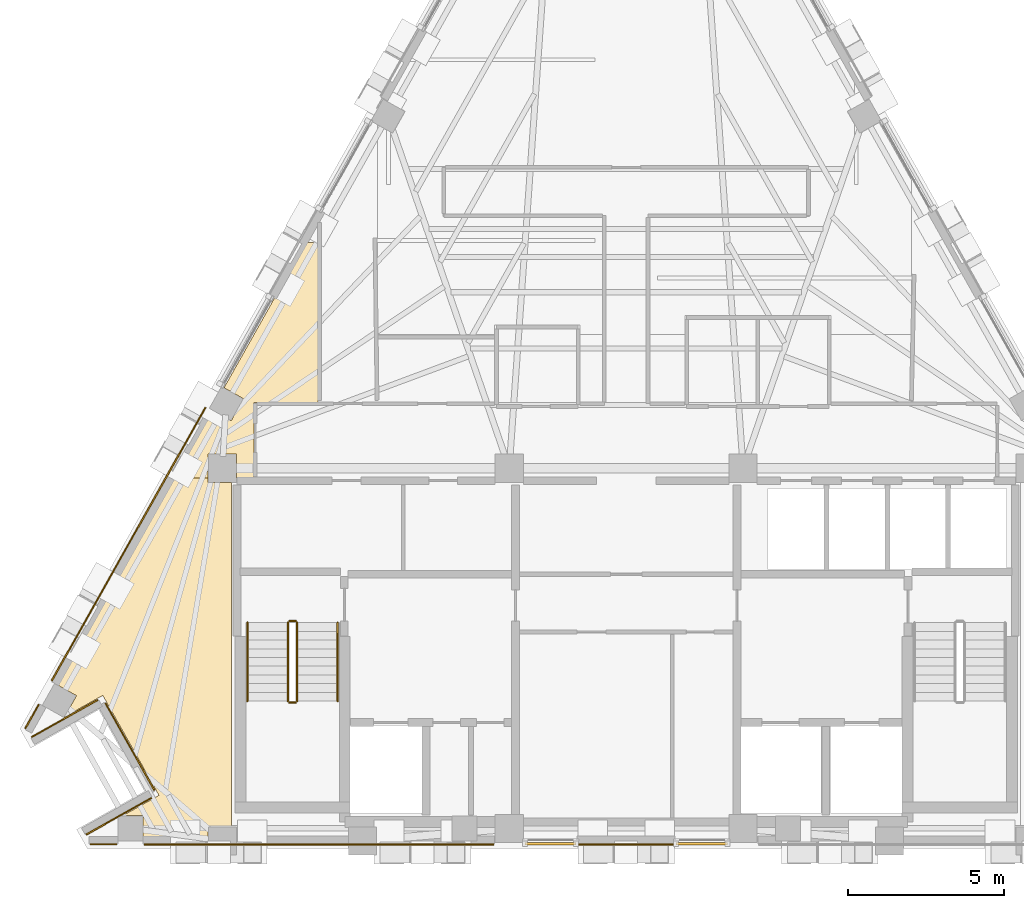
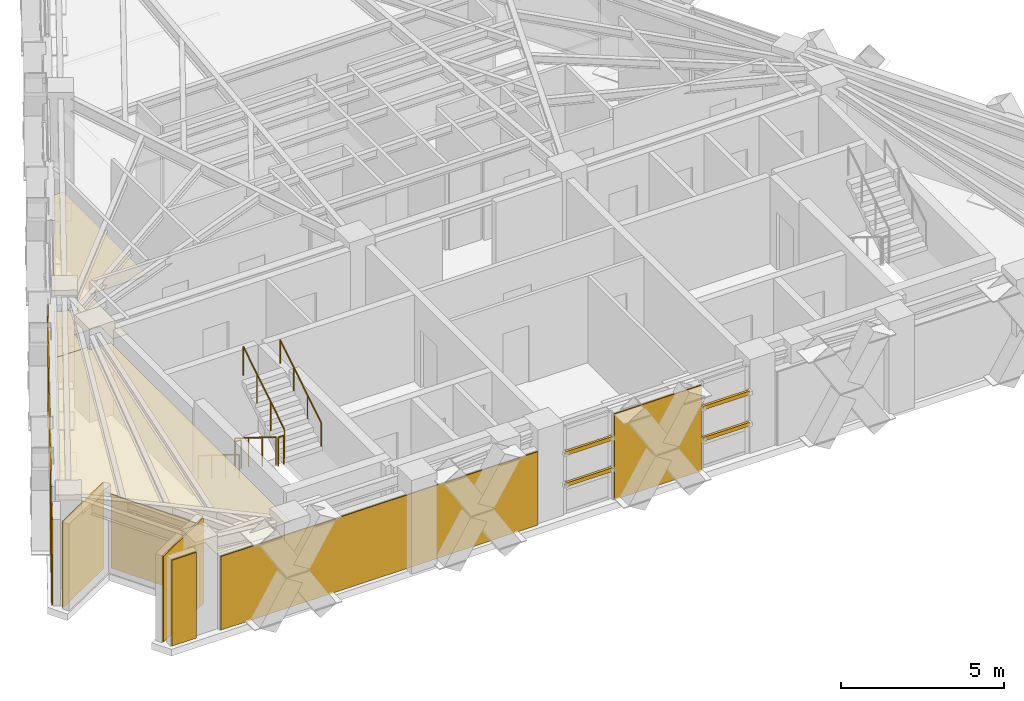
# One storey, part 9 of 11: 10 coverings, 6 railings, 4 shading devices.
"""IFC4 building model written with IfcOpenShell, lengths in metres."""

from ifc_helpers import new_model, si_unit, direction, frame, origin, origin_2d, place, context, subcontext, project, spatial, polyline, rectangle, circle, outline, extrude, material, layer, layer_set, material_profile, profile_set, type_object, element, save


model = new_model("IFC4")

# Units and contexts
model_context = context("Model", 3, precision=1e-05, world=origin(), true_north=direction((0.0, 1.0)))
body_context = subcontext(model_context, "Body", "Model", "MODEL_VIEW")
ifc_project = project(units=[si_unit("LENGTHUNIT", "METRE"), si_unit("AREAUNIT", "SQUARE_METRE"), si_unit("VOLUMEUNIT", "CUBIC_METRE"), si_unit("PLANEANGLEUNIT", "RADIAN"), si_unit("MASSUNIT", "GRAM", prefix="KILO")], contexts=[model_context])

# Site, building, storey
site_placement = place(None, origin())
site = spatial("IfcSite", under=ifc_project, at=site_placement, CompositionType="ELEMENT")
building_placement = place(site_placement, origin())
building = spatial("IfcBuilding", under=site, at=building_placement, Name="Quenlor Broadcast Tower", CompositionType="ELEMENT")
storey_placement = place(building_placement, frame((0.0, 0.0, 253.39990234375)))
storey = spatial("IfcBuildingStorey", under=building, at=storey_placement, Name="L70", CompositionType="ELEMENT", Elevation=253.39990234375)

# Coverings
ifc_material_1 = material(Name="Acoustic Mineral Fibre Board", Category="other")
ifc_layer_1 = layer(ifc_material_1, 0.02490234375)
ifc_layer_set_1 = layer_set([ifc_layer_1], Name="Acoustic Perforated Mineral Tile Ceiling 25")
covering_type_1 = type_object("IfcCoveringType", Name="Acoustic Perforated Mineral Tile Ceiling 25", PredefinedType="CEILING", material=ifc_layer_set_1)
covering_1_placement = place(storey_placement, frame((0.0, 0.0, 2.714599609375)))
element("IfcCovering", 1, at=covering_1_placement, inside=storey, type_object=covering_type_1, Name="L70 Acoustic Ceiling L70-28", PredefinedType="CEILING", context=body_context, shape_type="SweptSolid", body=[
    extrude(outline(polyline([(-13.295654296875, -2.930419921875), (-12.669921875, -3.2822265625), (-12.27001953125, -2.571044921875), (-12.895751953125, -2.218994140625), (-10.27490234375, 2.43994140625), (-9.877685546875, 2.43994140625), (-9.877685546875, -2.699951171875), (-11.929931640625, -2.699951171875), (-11.929931640625, -5.1201171875), (-12.491943359375, -5.1201171875), (-12.491943359375, -4.342041015625), (-13.407958984375, -4.342041015625), (-13.407958984375, -5.1201171875), (-14.52734375, -5.1201171875), (-13.295654296875, -2.930419921875)])), origin(), (0.0, 0.0, 1.0), 0.025146484375),
])
covering_2_placement = place(storey_placement, frame((0.0, 0.0, 2.714599609375)))
element("IfcCovering", 2, at=covering_2_placement, inside=storey, type_object=covering_type_1, Name="L70 Acoustic Ceiling L70-28-2", PredefinedType="CEILING", context=body_context, shape_type="SweptSolid", body=[
    extrude(outline(polyline([(-18.25244140625, -11.7421875), (-14.52734375, -5.1201171875), (-13.407958984375, -5.1201171875), (-13.407958984375, -5.258056640625), (-12.64990234375, -5.258056640625), (-12.64990234375, -16.2919921875), (-13.407958984375, -16.2919921875), (-13.407958984375, -16.659912109375), (-15.489501953125, -16.659912109375), (-15.489501953125, -15.94189453125), (-16.1435546875, -15.94189453125), (-14.983642578125, -15.28955078125), (-16.785888671875, -12.085693359375), (-18.0087890625, -12.773681640625), (-17.626708984375, -12.09423828125), (-18.25244140625, -11.7421875)])), origin(), (0.0, 0.0, 1.0), 0.025146484375),
])

# Shading devices
ifc_material_2 = material(Name="Architectural Terracotta Ceramic", Category="masonry")
ifc_material_profile = material_profile(ifc_material_2, rectangle(XDim=0.090087890625, YDim=0.139892578125, at=origin_2d()))
ifc_profile_set = profile_set([ifc_material_profile], Name="Architectural Terracotta Ceramic BAG90x140")
shading_device_type = type_object("IfcShadingDeviceType", Name="Copper Terracotta Baguette Solar Screen 140", PredefinedType="USERDEFINED", material=ifc_profile_set)
for number, where, z_axis, x_axis, name in (
    (3, (3.24755859375, -16.843017578125, 1.170166015625), (-1.0, 0.0, 0.0), (0.0, -1.0, 0.0), "L70 Terracotta Baguette Screen 1"),
    (4, (3.24755859375, -16.843017578125, 2.340087890625), (-1.0, 0.0, 0.0), (0.0, -1.0, 0.0), "L70 Terracotta Baguette Screen 2"),
    (5, (-1.60400390625, -16.843017578125, 1.170166015625), (-1.0, 0.0, 0.0), (0.0, -1.0, 0.0), "L70 Terracotta Baguette Screen 1"),
    (6, (-1.60400390625, -16.843017578125, 2.340087890625), (-1.0, 0.0, 0.0), (0.0, -1.0, 0.0), "L70 Terracotta Baguette Screen 2"),
):
    element("IfcShadingDevice", number, at=place(storey_placement, frame(where, z_axis=z_axis, x_axis=x_axis)), inside=storey, type_object=shading_device_type, Name=name, ObjectType="BAGUETTE", PredefinedType="USERDEFINED", context=body_context, shape_type="SweptSolid", body=[
        extrude(rectangle(XDim=0.090087890625, YDim=0.139892578125, at=origin_2d()), origin(), (0.0, 0.0, 1.0), 1.6435546875),
    ])

# Coverings
ifc_material_3 = material(Name="Architectural Terracotta Ceramic", Category="masonry")
ifc_layer_2 = layer(ifc_material_3, 0.044921875)
ifc_layer_set_2 = layer_set([ifc_layer_2], Name="Fluted Terracotta Rainscreen Cladding Panel")
covering_type_2 = type_object("IfcCoveringType", Name="Fluted Terracotta Rainscreen Cladding Panel", PredefinedType="CLADDING", material=ifc_layer_set_2)
covering_3_placement = place(storey_placement, frame((0.0, 0.0, 0.02001953125)))
element("IfcCovering", 7, at=covering_3_placement, inside=storey, type_object=covering_type_2, Name="L70 Terracotta Rainscreen Cladding L70-SHD-SS1", PredefinedType="CLADDING", context=body_context, shape_type="SweptSolid", body=[
    extrude(outline(polyline([(-16.33251953125, -16.8369140625), (-17.18994140625, -16.8369140625), (-17.18994140625, -16.882080078125), (-16.33251953125, -16.882080078125), (-16.33251953125, -16.8369140625)])), origin(), (0.0, 0.0, 1.0), 3.2099609375),
])
covering_4_placement = place(storey_placement, frame((0.0, 0.0, 0.02001953125)))
element("IfcCovering", 8, at=covering_4_placement, inside=storey, type_object=covering_type_2, Name="L70 Terracotta Rainscreen Cladding L70-EW-SC", PredefinedType="CLADDING", context=body_context, shape_type="SweptSolid", body=[
    extrude(outline(polyline([(-4.25, -16.846923828125), (-15.462646484375, -16.846923828125), (-15.462646484375, -16.89208984375), (-4.25, -16.89208984375), (-4.25, -16.846923828125)])), origin(), (0.0, 0.0, 1.0), 2.749755859375),
])
covering_5_placement = place(storey_placement, frame((0.0, 0.0, 0.02001953125)))
element("IfcCovering", 9, at=covering_5_placement, inside=storey, type_object=covering_type_2, Name="L70 Terracotta Rainscreen Cladding L70-S-SP1", PredefinedType="CLADDING", context=body_context, shape_type="SweptSolid", body=[
    extrude(outline(polyline([(1.54150390625, -16.846923828125), (-1.54150390625, -16.846923828125), (-1.54150390625, -16.89208984375), (1.54150390625, -16.89208984375), (1.54150390625, -16.846923828125)])), origin(), (0.0, 0.0, 1.0), 3.2099609375),
])
covering_6_placement = place(storey_placement, frame((0.0, 0.0, 0.02001953125)))
element("IfcCovering", 10, at=covering_6_placement, inside=storey, type_object=covering_type_2, Name="L70 Terracotta Rainscreen Cladding L70-SHD-NWS0", PredefinedType="CLADDING", context=body_context, shape_type="SweptSolid", body=[
    extrude(outline(polyline([(-19.25390625, -13.161376953125), (-18.820068359375, -12.39013671875), (-18.859130859375, -12.3681640625), (-19.29296875, -13.139404296875), (-19.25390625, -13.161376953125)])), origin(), (0.0, 0.0, 1.0), 3.2099609375),
])
covering_7_placement = place(storey_placement, frame((0.0, 0.0, 0.02001953125)))
element("IfcCovering", 11, at=covering_7_placement, inside=storey, type_object=covering_type_2, Name="L70 Terracotta Rainscreen Cladding L70-EW-NWA", PredefinedType="CLADDING", context=body_context, shape_type="SweptSolid", body=[
    extrude(outline(polyline([(-18.402099609375, -11.626953125), (-13.471923828125, -2.862060546875), (-13.51123046875, -2.840087890625), (-18.44140625, -11.60498046875), (-18.402099609375, -11.626953125)])), origin(), (0.0, 0.0, 1.0), 3.2099609375),
])
covering_8_placement = place(storey_placement, frame((0.0, 0.0, 0.02001953125)))
element("IfcCovering", 12, at=covering_8_placement, inside=storey, type_object=covering_type_2, Name="L70 Terracotta Rainscreen Cladding L70-CNR-13", PredefinedType="CLADDING", context=body_context, shape_type="SweptSolid", body=[
    extrude(outline(polyline([(-19.062255859375, -13.444091796875), (-16.935546875, -12.247802734375), (-16.95751953125, -12.208740234375), (-19.084228515625, -13.405029296875), (-19.062255859375, -13.444091796875)])), origin(), (0.0, 0.0, 1.0), 3.2099609375),
])
covering_9_placement = place(storey_placement, frame((0.0, 0.0, 0.02001953125)))
element("IfcCovering", 13, at=covering_9_placement, inside=storey, type_object=covering_type_2, Name="L70 Terracotta Rainscreen Cladding L70-CNR-14", PredefinedType="CLADDING", context=body_context, shape_type="SweptSolid", body=[
    extrude(outline(polyline([(-16.72265625, -12.3369140625), (-15.14599609375, -15.139892578125), (-15.106689453125, -15.117919921875), (-16.683349609375, -12.31494140625), (-16.72265625, -12.3369140625)])), origin(), (0.0, 0.0, 1.0), 2.749755859375),
])
covering_10_placement = place(storey_placement, frame((0.0, 0.0, 0.02001953125)))
element("IfcCovering", 14, at=covering_10_placement, inside=storey, type_object=covering_type_2, Name="L70 Terracotta Rainscreen Cladding L70-CNR-15", PredefinedType="CLADDING", context=body_context, shape_type="SweptSolid", body=[
    extrude(outline(polyline([(-15.23486328125, -15.352783203125), (-17.32666015625, -16.529541015625), (-17.3046875, -16.568603515625), (-15.212890625, -15.39208984375), (-15.23486328125, -15.352783203125)])), origin(), (0.0, 0.0, 1.0), 3.2099609375),
])

# Railings
ifc_material_4 = material(Name="Anodised Aluminium", Category="aluminium")
railing_type_1 = type_object("IfcRailingType", Name="Stainless Aluminium Wall Handrail 900", PredefinedType="HANDRAIL", material=ifc_material_4)
railing_1_placement = place(storey_placement, frame((-12.14990234375, -9.75, 0.175048828125)))
element("IfcRailing", 15, at=railing_1_placement, inside=storey, type_object=railing_type_1, Name="L70 ST-1 stair handrail 1", PredefinedType="HANDRAIL", context=body_context, shape_type="SweptSolid", body=[
    extrude(circle(Radius=0.02392578125, at=origin_2d()), frame((0.0, 0.0, 0.8759765625), z_axis=(0.0, -0.848007534815, 0.529984170421), x_axis=(1.0, 0.0, 0.0)), (0.0, 0.0, 1.0), 2.9716796875),
    extrude(circle(Radius=0.02099609375, at=origin_2d()), origin(), (0.0, 0.0, 1.0), 0.851806640625),
    extrude(circle(Radius=0.02099609375, at=origin_2d()), frame((0.0, -0.840087890625, 0.52490234375)), (0.0, 0.0, 1.0), 0.851806640625),
    extrude(circle(Radius=0.02099609375, at=origin_2d()), frame((0.0, -1.679931640625, 1.050048828125)), (0.0, 0.0, 1.0), 0.851806640625),
    extrude(circle(Radius=0.02099609375, at=origin_2d()), frame((0.0, -2.52001953125, 1.574951171875)), (0.0, 0.0, 1.0), 0.851806640625),
])
railing_2_placement = place(storey_placement, frame((-9.25, -12.27001953125, 1.925048828125)))
element("IfcRailing", 16, at=railing_2_placement, inside=storey, type_object=railing_type_1, Name="L70 ST-1 stair handrail 2", PredefinedType="HANDRAIL", context=body_context, shape_type="SweptSolid", body=[
    extrude(circle(Radius=0.02392578125, at=origin_2d()), frame((0.0, 0.0, 0.8759765625), z_axis=(0.0, 0.848007534815, 0.529984170421), x_axis=(-1.0, 0.0, 0.0)), (0.0, 0.0, 1.0), 2.9716796875),
    extrude(circle(Radius=0.02099609375, at=origin_2d()), origin(), (0.0, 0.0, 1.0), 0.851806640625),
    extrude(circle(Radius=0.02099609375, at=origin_2d()), frame((0.0, 0.840087890625, 0.52490234375)), (0.0, 0.0, 1.0), 0.851806640625),
    extrude(circle(Radius=0.02099609375, at=origin_2d()), frame((0.0, 1.679931640625, 1.050048828125)), (0.0, 0.0, 1.0), 0.851806640625),
    extrude(circle(Radius=0.02099609375, at=origin_2d()), frame((0.0, 2.52001953125, 1.574951171875)), (0.0, 0.0, 1.0), 0.851806640625),
])
ifc_material_5 = material(Name="Steel S355", Category="steel")
railing_type_2 = type_object("IfcRailingType", Name="Tubular Steel S355 Stair Guardrail 1100", PredefinedType="BALUSTRADE", material=ifc_material_5)
railing_3_placement = place(storey_placement, frame((-10.85009765625, -9.75, 0.175048828125)))
element("IfcRailing", 17, at=railing_3_placement, inside=storey, type_object=railing_type_2, Name="L70 ST-1 stair guard 1", PredefinedType="BALUSTRADE", context=body_context, shape_type="SweptSolid", body=[
    extrude(circle(Radius=0.02392578125, at=origin_2d()), frame((0.0, 0.0, 1.076171875), z_axis=(0.0, -0.848007534815, 0.529984170421), x_axis=(1.0, 0.0, 0.0)), (0.0, 0.0, 1.0), 2.9716796875),
    extrude(circle(Radius=0.02099609375, at=origin_2d()), origin(), (0.0, 0.0, 1.0), 1.052001953125),
    extrude(circle(Radius=0.02099609375, at=origin_2d()), frame((0.0, -0.840087890625, 0.52490234375)), (0.0, 0.0, 1.0), 1.052001953125),
    extrude(circle(Radius=0.02099609375, at=origin_2d()), frame((0.0, -1.679931640625, 1.050048828125)), (0.0, 0.0, 1.0), 1.052001953125),
    extrude(circle(Radius=0.02099609375, at=origin_2d()), frame((0.0, -2.52001953125, 1.574951171875)), (0.0, 0.0, 1.0), 1.052001953125),
])
railing_4_placement = place(storey_placement, frame((-10.800048828125, -12.320068359375, 1.75)))
element("IfcRailing", 18, at=railing_4_placement, inside=storey, type_object=railing_type_2, Name="L70 ST-1 stair guard 2", PredefinedType="BALUSTRADE", context=body_context, shape_type="SweptSolid", body=[
    extrude(circle(Radius=0.02392578125, at=origin_2d()), frame((0.0, 0.0, 1.076171875), z_axis=(1.0, 0.0, 0.0), x_axis=(0.0, 1.0, 0.0)), (0.0, 0.0, 1.0), 0.199951171875),
    extrude(circle(Radius=0.02099609375, at=origin_2d()), origin(), (0.0, 0.0, 1.0), 1.052001953125),
    extrude(circle(Radius=0.02099609375, at=origin_2d()), frame((0.199951171875, 0.0, 0.0)), (0.0, 0.0, 1.0), 1.052001953125),
])
railing_5_placement = place(storey_placement, frame((-10.550048828125, -12.27001953125, 1.925048828125)))
element("IfcRailing", 19, at=railing_5_placement, inside=storey, type_object=railing_type_2, Name="L70 ST-1 stair guard 3", PredefinedType="BALUSTRADE", context=body_context, shape_type="SweptSolid", body=[
    extrude(circle(Radius=0.02392578125, at=origin_2d()), frame((0.0, 0.0, 1.076171875), z_axis=(0.0, 0.848007534815, 0.529984170421), x_axis=(-1.0, 0.0, 0.0)), (0.0, 0.0, 1.0), 2.9716796875),
    extrude(circle(Radius=0.02099609375, at=origin_2d()), origin(), (0.0, 0.0, 1.0), 1.052001953125),
    extrude(circle(Radius=0.02099609375, at=origin_2d()), frame((0.0, 0.840087890625, 0.52490234375)), (0.0, 0.0, 1.0), 1.052001953125),
    extrude(circle(Radius=0.02099609375, at=origin_2d()), frame((0.0, 1.679931640625, 1.050048828125)), (0.0, 0.0, 1.0), 1.052001953125),
    extrude(circle(Radius=0.02099609375, at=origin_2d()), frame((0.0, 2.52001953125, 1.574951171875)), (0.0, 0.0, 1.0), 1.052001953125),
])
railing_6_placement = place(storey_placement, frame((-10.800048828125, -9.699951171875, 0.0)))
element("IfcRailing", 20, at=railing_6_placement, inside=storey, type_object=railing_type_2, Name="L70 ST-1 stair guard 4", PredefinedType="BALUSTRADE", context=body_context, shape_type="SweptSolid", body=[
    extrude(circle(Radius=0.02392578125, at=origin_2d()), frame((0.0, 0.0, 1.076171875), z_axis=(1.0, 0.0, 0.0), x_axis=(0.0, 1.0, 0.0)), (0.0, 0.0, 1.0), 0.199951171875),
    extrude(circle(Radius=0.02099609375, at=origin_2d()), origin(), (0.0, 0.0, 1.0), 1.052001953125),
    extrude(circle(Radius=0.02099609375, at=origin_2d()), frame((0.199951171875, 0.0, 0.0)), (0.0, 0.0, 1.0), 1.052001953125),
])

save(model, "model.ifc")
